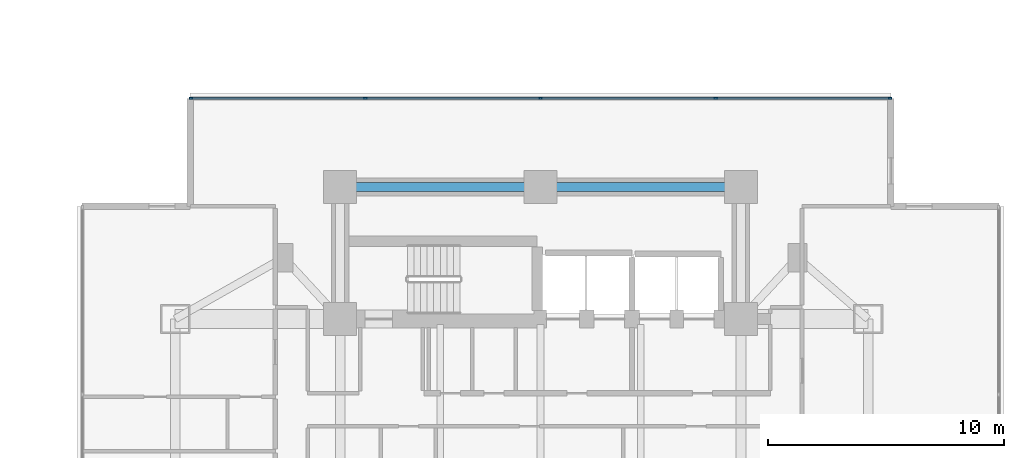
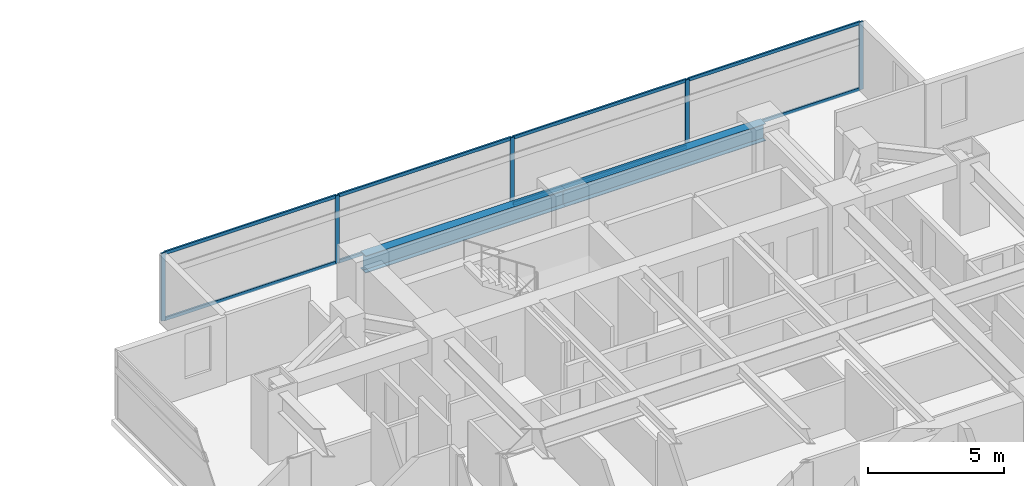
# One storey, part 12 of 26: 13 members, 2 beams, 1 element without a shape of its own.
"""IFC4 building model written with IfcOpenShell, lengths in metres."""

from ifc_helpers import new_model, si_unit, direction, frame, origin, origin_2d, place, context, subcontext, project, spatial, rectangle, i_section, extrude, material, material_profile, profile_set, type_object, element, aggregate, save


model = new_model("IFC4")

# Units and contexts
model_context = context("Model", 3, precision=1e-05, world=origin(), true_north=direction((0.0, 1.0)))
body_context = subcontext(model_context, "Body", "Model", "MODEL_VIEW")
ifc_project = project(units=[si_unit("LENGTHUNIT", "METRE"), si_unit("AREAUNIT", "SQUARE_METRE"), si_unit("VOLUMEUNIT", "CUBIC_METRE"), si_unit("PLANEANGLEUNIT", "RADIAN"), si_unit("MASSUNIT", "GRAM", prefix="KILO")], contexts=[model_context])

# Site, building, storey
site_placement = place(None, origin())
site = spatial("IfcSite", under=ifc_project, at=site_placement, CompositionType="ELEMENT")
building_placement = place(site_placement, origin())
building = spatial("IfcBuilding", under=site, at=building_placement, Name="Mirazonda Arch Towers", CompositionType="ELEMENT")
storey_placement = place(building_placement, frame((0.0, 0.0, 45.5)))
storey = spatial("IfcBuildingStorey", under=building, at=storey_placement, Name="L12", CompositionType="ELEMENT", Elevation=45.5)

# Beams
ifc_material_1 = material(Name="Steel ASTM A992 Grade 50", Category="steel")
ifc_material_profile_1 = material_profile(ifc_material_1, i_section(OverallWidth=0.381103515625, OverallDepth=0.77294921875, WebThickness=0.0166015625, FlangeThickness=0.027099609375, at=origin_2d()), Name="W30X173")
ifc_profile_set_1 = profile_set([ifc_material_profile_1], Name="Steel ASTM A992 Grade 50")
beam_type = type_object("IfcBeamType", Name="BM-INT-W30X173", PredefinedType="USERDEFINED", material=ifc_profile_set_1)
for number, where, z_axis, x_axis, name in (
    (1, (68.0, 40.800048828125, 2.673583984375), (1.0, 0.0, 0.0), (0.0, 1.0, 0.0), "L12 Floor Beam BM-T2-L12-CN1"),
    (2, (76.5, 40.800048828125, 2.673583984375), (1.0, 0.0, 0.0), (0.0, 1.0, 0.0), "L12 Floor Beam BM-T2-L12-CN2"),
):
    element("IfcBeam", number, at=place(storey_placement, frame(where, z_axis=z_axis, x_axis=x_axis)), inside=storey, type_object=beam_type, Name=name, ObjectType="GIRDER", PredefinedType="USERDEFINED", context=body_context, shape_type="SweptSolid", body=[
        extrude(i_section(OverallWidth=0.381103515625, OverallDepth=0.77294921875, WebThickness=0.0166015625, FlangeThickness=0.027099609375, at=origin_2d()), origin(), (0.0, 0.0, 1.0), 8.5),
    ])

# Curtain wall, members
ifc_material_2 = material(Name="Anodised Aluminium and Low-E Glass", Category="aluminium")
curtain_wall_type = type_object("IfcCurtainWallType", Name="CW-HTL-UNIT", PredefinedType="NOTDEFINED", material=ifc_material_2)
curtain_wall_placement = place(storey_placement, origin())
curtain_wall = element("IfcCurtainWall", 3, at=curtain_wall_placement, inside=storey, type_object=curtain_wall_type, Name="L12 T2 N Facade CW-L12-T2-N", PredefinedType="NOTDEFINED")
ifc_material_3 = material(Name="Anodised Aluminium Alloy", Category="aluminium")
ifc_material_profile_2 = material_profile(ifc_material_3, rectangle(XDim=0.074951171875, YDim=0.1650390625, at=origin_2d()), Name="ALU-MULL-75x165")
ifc_profile_set_2 = profile_set([ifc_material_profile_2], Name="Anodised Aluminium Alloy")
member_type_1 = type_object("IfcMemberType", Name="MULL-CW-HTL-UNIT", PredefinedType="MULLION", material=ifc_profile_set_2)
member_1_placement = place(storey_placement, frame((61.67138671875, 44.56298828125, 0.0), z_axis=(0.0, 0.0, 1.0), x_axis=(0.0, 1.0, 0.0)))
member_1 = element("IfcMember", 4, at=member_1_placement, type_object=member_type_1, Name="CW-112 mullion 1", PredefinedType="MULLION", context=body_context, shape_type="SweptSolid", body=[
    extrude(rectangle(XDim=0.074951171875, YDim=0.1650390625, at=origin_2d()), origin(), (0.0, 0.0, 1.0), 3.0400390625),
])
member_2_placement = place(storey_placement, frame((69.06689453125, 44.56298828125, 0.0), z_axis=(0.0, 0.0, 1.0), x_axis=(0.0, 1.0, 0.0)))
member_2 = element("IfcMember", 5, at=member_2_placement, type_object=member_type_1, Name="CW-112 mullion 2", PredefinedType="MULLION", context=body_context, shape_type="SweptSolid", body=[
    extrude(rectangle(XDim=0.074951171875, YDim=0.1650390625, at=origin_2d()), origin(), (0.0, 0.0, 1.0), 3.0400390625),
])
member_3_placement = place(storey_placement, frame((76.5, 44.56298828125, 0.0), z_axis=(0.0, 0.0, 1.0), x_axis=(0.0, 1.0, 0.0)))
member_3 = element("IfcMember", 6, at=member_3_placement, type_object=member_type_1, Name="CW-112 mullion 3", PredefinedType="MULLION", context=body_context, shape_type="SweptSolid", body=[
    extrude(rectangle(XDim=0.074951171875, YDim=0.1650390625, at=origin_2d()), origin(), (0.0, 0.0, 1.0), 3.0400390625),
])
member_4_placement = place(storey_placement, frame((83.93310546875, 44.56298828125, 0.0), z_axis=(0.0, 0.0, 1.0), x_axis=(0.0, 1.0, 0.0)))
member_4 = element("IfcMember", 7, at=member_4_placement, type_object=member_type_1, Name="CW-112 mullion 4", PredefinedType="MULLION", context=body_context, shape_type="SweptSolid", body=[
    extrude(rectangle(XDim=0.074951171875, YDim=0.1650390625, at=origin_2d()), origin(), (0.0, 0.0, 1.0), 3.0400390625),
])
member_5_placement = place(storey_placement, frame((91.32861328125, 44.56298828125, 0.0), z_axis=(0.0, 0.0, 1.0), x_axis=(0.0, 1.0, 0.0)))
member_5 = element("IfcMember", 8, at=member_5_placement, type_object=member_type_1, Name="CW-112 mullion 5", PredefinedType="MULLION", context=body_context, shape_type="SweptSolid", body=[
    extrude(rectangle(XDim=0.074951171875, YDim=0.1650390625, at=origin_2d()), origin(), (0.0, 0.0, 1.0), 3.0400390625),
])
ifc_material_profile_3 = material_profile(ifc_material_3, rectangle(XDim=0.074951171875, YDim=0.14501953125, at=origin_2d()), Name="ALU-TRAN-75x145")
ifc_profile_set_3 = profile_set([ifc_material_profile_3], Name="Anodised Aluminium Alloy")
member_type_2 = type_object("IfcMemberType", Name="TRAN-CW-HTL-UNIT", PredefinedType="USERDEFINED", material=ifc_profile_set_3)
member_6_placement = place(storey_placement, frame((61.708984375, 44.56298828125, 0.03759765625), z_axis=(1.0, 0.0, 0.0), x_axis=(0.0, 1.0, 0.0)))
member_6 = element("IfcMember", 9, at=member_6_placement, type_object=member_type_2, Name="CW-112 transom 1.1", ObjectType="TRANSOM", PredefinedType="USERDEFINED", context=body_context, shape_type="SweptSolid", body=[
    extrude(rectangle(XDim=0.074951171875, YDim=0.14501953125, at=origin_2d()), origin(), (0.0, 0.0, 1.0), 7.320556640625),
])
member_7_placement = place(storey_placement, frame((61.708984375, 44.56298828125, 3.00244140625), z_axis=(1.0, 0.0, 0.0), x_axis=(0.0, 1.0, 0.0)))
member_7 = element("IfcMember", 10, at=member_7_placement, type_object=member_type_2, Name="CW-112 transom 1.2", ObjectType="TRANSOM", PredefinedType="USERDEFINED", context=body_context, shape_type="SweptSolid", body=[
    extrude(rectangle(XDim=0.074951171875, YDim=0.14501953125, at=origin_2d()), origin(), (0.0, 0.0, 1.0), 7.320556640625),
])
member_8_placement = place(storey_placement, frame((69.1044921875, 44.56298828125, 0.03759765625), z_axis=(1.0, 0.0, 0.0), x_axis=(0.0, 1.0, 0.0)))
member_8 = element("IfcMember", 11, at=member_8_placement, type_object=member_type_2, Name="CW-112 transom 2.1", ObjectType="TRANSOM", PredefinedType="USERDEFINED", context=body_context, shape_type="SweptSolid", body=[
    extrude(rectangle(XDim=0.074951171875, YDim=0.14501953125, at=origin_2d()), origin(), (0.0, 0.0, 1.0), 7.35791015625),
])
member_9_placement = place(storey_placement, frame((69.1044921875, 44.56298828125, 3.00244140625), z_axis=(1.0, 0.0, 0.0), x_axis=(0.0, 1.0, 0.0)))
member_9 = element("IfcMember", 12, at=member_9_placement, type_object=member_type_2, Name="CW-112 transom 2.2", ObjectType="TRANSOM", PredefinedType="USERDEFINED", context=body_context, shape_type="SweptSolid", body=[
    extrude(rectangle(XDim=0.074951171875, YDim=0.14501953125, at=origin_2d()), origin(), (0.0, 0.0, 1.0), 7.35791015625),
])
member_10_placement = place(storey_placement, frame((76.53759765625, 44.56298828125, 0.03759765625), z_axis=(1.0, 0.0, 0.0), x_axis=(0.0, 1.0, 0.0)))
member_10 = element("IfcMember", 13, at=member_10_placement, type_object=member_type_2, Name="CW-112 transom 3.1", ObjectType="TRANSOM", PredefinedType="USERDEFINED", context=body_context, shape_type="SweptSolid", body=[
    extrude(rectangle(XDim=0.074951171875, YDim=0.14501953125, at=origin_2d()), origin(), (0.0, 0.0, 1.0), 7.35791015625),
])
member_11_placement = place(storey_placement, frame((76.53759765625, 44.56298828125, 3.00244140625), z_axis=(1.0, 0.0, 0.0), x_axis=(0.0, 1.0, 0.0)))
member_11 = element("IfcMember", 14, at=member_11_placement, type_object=member_type_2, Name="CW-112 transom 3.2", ObjectType="TRANSOM", PredefinedType="USERDEFINED", context=body_context, shape_type="SweptSolid", body=[
    extrude(rectangle(XDim=0.074951171875, YDim=0.14501953125, at=origin_2d()), origin(), (0.0, 0.0, 1.0), 7.35791015625),
])
member_12_placement = place(storey_placement, frame((83.970458984375, 44.56298828125, 0.03759765625), z_axis=(1.0, 0.0, 0.0), x_axis=(0.0, 1.0, 0.0)))
member_12 = element("IfcMember", 15, at=member_12_placement, type_object=member_type_2, Name="CW-112 transom 4.1", ObjectType="TRANSOM", PredefinedType="USERDEFINED", context=body_context, shape_type="SweptSolid", body=[
    extrude(rectangle(XDim=0.074951171875, YDim=0.14501953125, at=origin_2d()), origin(), (0.0, 0.0, 1.0), 7.320556640625),
])
member_13_placement = place(storey_placement, frame((83.970458984375, 44.56298828125, 3.00244140625), z_axis=(1.0, 0.0, 0.0), x_axis=(0.0, 1.0, 0.0)))
member_13 = element("IfcMember", 16, at=member_13_placement, type_object=member_type_2, Name="CW-112 transom 4.2", ObjectType="TRANSOM", PredefinedType="USERDEFINED", context=body_context, shape_type="SweptSolid", body=[
    extrude(rectangle(XDim=0.074951171875, YDim=0.14501953125, at=origin_2d()), origin(), (0.0, 0.0, 1.0), 7.320556640625),
])
aggregate(curtain_wall, [member_1, member_2, member_3, member_4, member_5, member_6, member_7, member_8, member_9, member_10, member_11, member_12, member_13])

save(model, "model.ifc")
